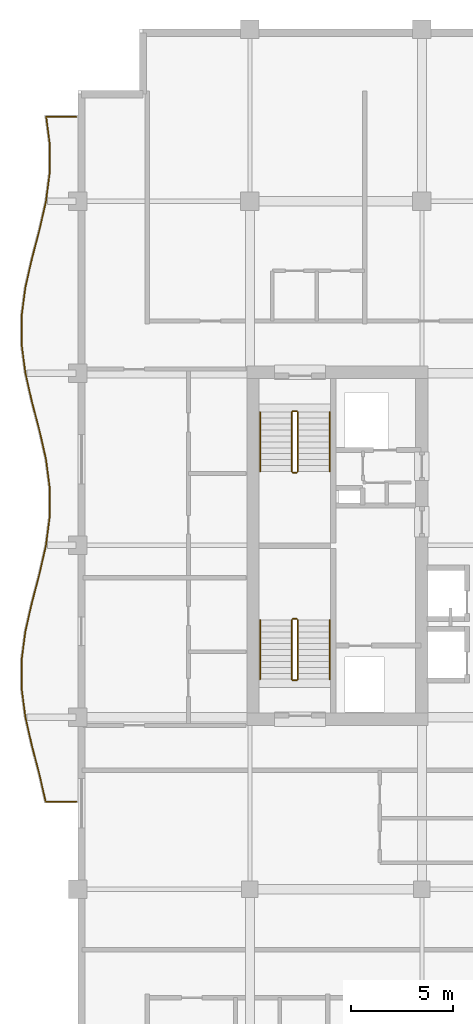
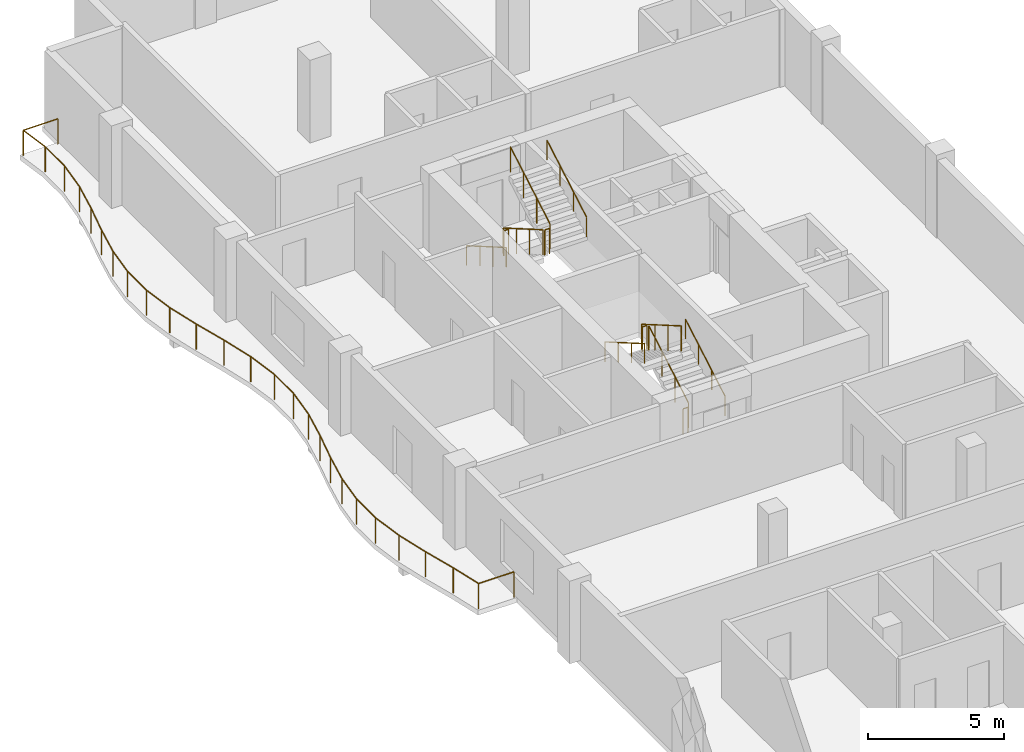
# One storey, part 12 of 12: 13 railings.
"""IFC4 building model written with IfcOpenShell, lengths in metres."""

from ifc_helpers import new_model, si_unit, direction, frame, origin, origin_2d, place, context, subcontext, project, spatial, circle, extrude, material, type_object, element, save


model = new_model("IFC4")

# Units and contexts
model_context = context("Model", 3, precision=1e-05, world=origin(), true_north=direction((0.0, 1.0)))
body_context = subcontext(model_context, "Body", "Model", "MODEL_VIEW")
ifc_project = project(units=[si_unit("LENGTHUNIT", "METRE"), si_unit("AREAUNIT", "SQUARE_METRE"), si_unit("VOLUMEUNIT", "CUBIC_METRE"), si_unit("PLANEANGLEUNIT", "RADIAN"), si_unit("MASSUNIT", "GRAM", prefix="KILO")], contexts=[model_context])

# Site, building, storey
site_placement = place(None, origin())
site = spatial("IfcSite", under=ifc_project, at=site_placement, CompositionType="ELEMENT")
building_placement = place(site_placement, origin())
building = spatial("IfcBuilding", under=site, at=building_placement, Name="Koriwani Terraces Tower", CompositionType="ELEMENT")
storey_placement = place(building_placement, frame((0.0, 0.0, 241.60009765625)))
storey = spatial("IfcBuildingStorey", under=building, at=storey_placement, Name="L59", CompositionType="ELEMENT", Elevation=241.60009765625)

# Railings
ifc_material = material(Name="Steel ASTM A572 Grade 50", Category="steel")
railing_type_1 = type_object("IfcRailingType", Name="GUARD_BALUSTRADE_1150", PredefinedType="BALUSTRADE", material=ifc_material)
railing_1_placement = place(storey_placement, frame((8.320068359375, 37.8798828125, 0.0)))
element("IfcRailing", 1, at=railing_1_placement, inside=storey, type_object=railing_type_1, Name="L59 Balcony Perimeter Safety Balustrade (W)", PredefinedType="BALUSTRADE", context=body_context, shape_type="SweptSolid", body=[
    extrude(circle(Radius=0.02392578125, at=origin_2d()), frame((0.0, 0.0, 1.1259765625), z_axis=(-1.0, 0.0, 0.0), x_axis=(0.0, -1.0, 0.0)), (0.0, 0.0, 1.0), 1.494140625),
    extrude(circle(Radius=0.02392578125, at=origin_2d()), frame((-1.494140625, 0.0, 1.1259765625), z_axis=(-0.221690258665, 0.97511713615, 0.0), x_axis=(-0.97511713615, -0.221690258665, 0.0)), (0.0, 0.0, 1.0), 1.373291015625),
    extrude(circle(Radius=0.02392578125, at=origin_2d()), frame((-1.798583984375, 1.339111328125, 1.1259765625), z_axis=(-0.254028314271, 0.967196782226, 0.0), x_axis=(-0.967196782226, -0.254028314271, 0.0)), (0.0, 0.0, 1.0), 1.447265625),
    extrude(circle(Radius=0.02392578125, at=origin_2d()), frame((-2.166259765625, 2.739013671875, 1.1259765625), z_axis=(-0.221480974814, 0.975164692652, 0.0), x_axis=(-0.975164692652, -0.221480974814, 0.0)), (0.0, 0.0, 1.0), 1.430908203125),
    extrude(circle(Radius=0.02392578125, at=origin_2d()), frame((-2.483154296875, 4.13427734375, 1.1259765625), z_axis=(-0.130157426935, 0.991493340479, 0.0), x_axis=(-0.991493340479, -0.130157426935, 0.0)), (0.0, 0.0, 1.0), 1.403076171875),
    extrude(circle(Radius=0.02392578125, at=origin_2d()), frame((-2.665771484375, 5.525390625, 1.1259765625), z_axis=(0.0, 1.0, 0.0), x_axis=(-1.0, 0.0, 0.0)), (0.0, 0.0, 1.0), 1.3896484375),
    extrude(circle(Radius=0.02392578125, at=origin_2d()), frame((-2.665771484375, 6.9150390625, 1.1259765625), z_axis=(0.130179886452, 0.991490391866, 0.0), x_axis=(-0.991490391866, 0.130179886452, 0.0)), (0.0, 0.0, 1.0), 1.40283203125),
    extrude(circle(Radius=0.02392578125, at=origin_2d()), frame((-2.483154296875, 8.305908203125, 1.1259765625), z_axis=(0.221480974814, 0.975164692652, 0.0), x_axis=(-0.975164692652, 0.221480974814, 0.0)), (0.0, 0.0, 1.0), 1.430908203125),
    extrude(circle(Radius=0.02392578125, at=origin_2d()), frame((-2.166259765625, 9.701171875, 1.1259765625), z_axis=(0.254028314271, 0.967196782226, 0.0), x_axis=(-0.967196782226, 0.254028314271, 0.0)), (0.0, 0.0, 1.0), 1.447265625),
    extrude(circle(Radius=0.02392578125, at=origin_2d()), frame((-1.798583984375, 11.10107421875, 1.1259765625), z_axis=(0.221628427149, 0.975131191317, 0.0), x_axis=(-0.975131191317, 0.221628427149, 0.0)), (0.0, 0.0, 1.0), 1.44091796875),
    extrude(circle(Radius=0.02392578125, at=origin_2d()), frame((-1.479248046875, 12.506103515625, 1.1259765625), z_axis=(0.12989004906, 0.991528403605, 0.0), x_axis=(-0.991528403605, 0.12989004906, 0.0)), (0.0, 0.0, 1.0), 1.4208984375),
    extrude(circle(Radius=0.02392578125, at=origin_2d()), frame((-1.294677734375, 13.9150390625, 1.1259765625), z_axis=(0.0, 1.0, 0.0), x_axis=(-1.0, 0.0, 0.0)), (0.0, 0.0, 1.0), 1.41015625),
    extrude(circle(Radius=0.02392578125, at=origin_2d()), frame((-1.294677734375, 15.3251953125, 1.1259765625), z_axis=(-0.12989004906, 0.991528403605, 0.0), x_axis=(-0.991528403605, -0.12989004906, 0.0)), (0.0, 0.0, 1.0), 1.4208984375),
    extrude(circle(Radius=0.02392578125, at=origin_2d()), frame((-1.479248046875, 16.734130859375, 1.1259765625), z_axis=(-0.221628427149, 0.975131191317, 0.0), x_axis=(-0.975131191317, -0.221628427149, 0.0)), (0.0, 0.0, 1.0), 1.44091796875),
    extrude(circle(Radius=0.02392578125, at=origin_2d()), frame((-1.798583984375, 18.13916015625, 1.1259765625), z_axis=(-0.254028314271, 0.967196782226, 0.0), x_axis=(-0.967196782226, -0.254028314271, 0.0)), (0.0, 0.0, 1.0), 1.447265625),
    extrude(circle(Radius=0.02392578125, at=origin_2d()), frame((-2.166259765625, 19.5390625, 1.1259765625), z_axis=(-0.221480974814, 0.975164692652, 0.0), x_axis=(-0.975164692652, -0.221480974814, 0.0)), (0.0, 0.0, 1.0), 1.430908203125),
    extrude(circle(Radius=0.02392578125, at=origin_2d()), frame((-2.483154296875, 20.934326171875, 1.1259765625), z_axis=(-0.130179886452, 0.991490391866, 0.0), x_axis=(-0.991490391866, -0.130179886452, 0.0)), (0.0, 0.0, 1.0), 1.40283203125),
    extrude(circle(Radius=0.02392578125, at=origin_2d()), frame((-2.665771484375, 22.3251953125, 1.1259765625), z_axis=(0.0, 1.0, 0.0), x_axis=(-1.0, 0.0, 0.0)), (0.0, 0.0, 1.0), 1.3896484375),
    extrude(circle(Radius=0.02392578125, at=origin_2d()), frame((-2.665771484375, 23.71484375, 1.1259765625), z_axis=(0.130157426935, 0.991493340479, 0.0), x_axis=(-0.991493340479, 0.130157426935, 0.0)), (0.0, 0.0, 1.0), 1.403076171875),
    extrude(circle(Radius=0.02392578125, at=origin_2d()), frame((-2.483154296875, 25.10595703125, 1.1259765625), z_axis=(0.221480974814, 0.975164692652, 0.0), x_axis=(-0.975164692652, 0.221480974814, 0.0)), (0.0, 0.0, 1.0), 1.430908203125),
    extrude(circle(Radius=0.02392578125, at=origin_2d()), frame((-2.166259765625, 26.501220703125, 1.1259765625), z_axis=(0.254028314271, 0.967196782226, 0.0), x_axis=(-0.967196782226, 0.254028314271, 0.0)), (0.0, 0.0, 1.0), 1.447265625),
    extrude(circle(Radius=0.02392578125, at=origin_2d()), frame((-1.798583984375, 27.901123046875, 1.1259765625), z_axis=(0.221665052023, 0.975122866469, 0.0), x_axis=(-0.975122866469, 0.221665052023, 0.0)), (0.0, 0.0, 1.0), 1.440673828125),
    extrude(circle(Radius=0.02392578125, at=origin_2d()), frame((-1.479248046875, 29.305908203125, 1.1259765625), z_axis=(0.12989004906, 0.991528403605, 0.0), x_axis=(-0.991528403605, 0.12989004906, 0.0)), (0.0, 0.0, 1.0), 1.4208984375),
    extrude(circle(Radius=0.02392578125, at=origin_2d()), frame((-1.294677734375, 30.71484375, 1.1259765625), z_axis=(0.0, 1.0, 0.0), x_axis=(-1.0, 0.0, 0.0)), (0.0, 0.0, 1.0), 1.410400390625),
    extrude(circle(Radius=0.02392578125, at=origin_2d()), frame((-1.294677734375, 32.125244140625, 1.1259765625), z_axis=(-0.129787776847, 0.991541795882, 0.0), x_axis=(-0.991541795882, -0.129787776847, 0.0)), (0.0, 0.0, 1.0), 1.326171875),
    extrude(circle(Radius=0.02392578125, at=origin_2d()), frame((-1.466796875, 33.440185546875, 1.1259765625), z_axis=(1.0, 0.0, 0.0), x_axis=(0.0, 1.0, 0.0)), (0.0, 0.0, 1.0), 1.466796875),
    extrude(circle(Radius=0.02099609375, at=origin_2d()), origin(), (0.0, 0.0, 1.0), 1.101806640625),
    extrude(circle(Radius=0.02099609375, at=origin_2d()), frame((-1.494140625, 0.0, 0.0)), (0.0, 0.0, 1.0), 1.101806640625),
    extrude(circle(Radius=0.02099609375, at=origin_2d()), frame((-1.798583984375, 1.339111328125, 0.0)), (0.0, 0.0, 1.0), 1.101806640625),
    extrude(circle(Radius=0.02099609375, at=origin_2d()), frame((-2.166259765625, 2.739013671875, 0.0)), (0.0, 0.0, 1.0), 1.101806640625),
    extrude(circle(Radius=0.02099609375, at=origin_2d()), frame((-2.483154296875, 4.13427734375, 0.0)), (0.0, 0.0, 1.0), 1.101806640625),
    extrude(circle(Radius=0.02099609375, at=origin_2d()), frame((-2.665771484375, 5.525390625, 0.0)), (0.0, 0.0, 1.0), 1.101806640625),
    extrude(circle(Radius=0.02099609375, at=origin_2d()), frame((-2.665771484375, 6.9150390625, 0.0)), (0.0, 0.0, 1.0), 1.101806640625),
    extrude(circle(Radius=0.02099609375, at=origin_2d()), frame((-2.483154296875, 8.305908203125, 0.0)), (0.0, 0.0, 1.0), 1.101806640625),
    extrude(circle(Radius=0.02099609375, at=origin_2d()), frame((-2.166259765625, 9.701171875, 0.0)), (0.0, 0.0, 1.0), 1.101806640625),
    extrude(circle(Radius=0.02099609375, at=origin_2d()), frame((-1.798583984375, 11.10107421875, 0.0)), (0.0, 0.0, 1.0), 1.101806640625),
    extrude(circle(Radius=0.02099609375, at=origin_2d()), frame((-1.479248046875, 12.506103515625, 0.0)), (0.0, 0.0, 1.0), 1.101806640625),
    extrude(circle(Radius=0.02099609375, at=origin_2d()), frame((-1.294677734375, 13.9150390625, 0.0)), (0.0, 0.0, 1.0), 1.101806640625),
    extrude(circle(Radius=0.02099609375, at=origin_2d()), frame((-1.294677734375, 15.3251953125, 0.0)), (0.0, 0.0, 1.0), 1.101806640625),
    extrude(circle(Radius=0.02099609375, at=origin_2d()), frame((-1.479248046875, 16.734130859375, 0.0)), (0.0, 0.0, 1.0), 1.101806640625),
    extrude(circle(Radius=0.02099609375, at=origin_2d()), frame((-1.798583984375, 18.13916015625, 0.0)), (0.0, 0.0, 1.0), 1.101806640625),
    extrude(circle(Radius=0.02099609375, at=origin_2d()), frame((-2.166259765625, 19.5390625, 0.0)), (0.0, 0.0, 1.0), 1.101806640625),
    extrude(circle(Radius=0.02099609375, at=origin_2d()), frame((-2.483154296875, 20.934326171875, 0.0)), (0.0, 0.0, 1.0), 1.101806640625),
    extrude(circle(Radius=0.02099609375, at=origin_2d()), frame((-2.665771484375, 22.3251953125, 0.0)), (0.0, 0.0, 1.0), 1.101806640625),
    extrude(circle(Radius=0.02099609375, at=origin_2d()), frame((-2.665771484375, 23.71484375, 0.0)), (0.0, 0.0, 1.0), 1.101806640625),
    extrude(circle(Radius=0.02099609375, at=origin_2d()), frame((-2.483154296875, 25.10595703125, 0.0)), (0.0, 0.0, 1.0), 1.101806640625),
    extrude(circle(Radius=0.02099609375, at=origin_2d()), frame((-2.166259765625, 26.501220703125, 0.0)), (0.0, 0.0, 1.0), 1.101806640625),
    extrude(circle(Radius=0.02099609375, at=origin_2d()), frame((-1.798583984375, 27.901123046875, 0.0)), (0.0, 0.0, 1.0), 1.101806640625),
    extrude(circle(Radius=0.02099609375, at=origin_2d()), frame((-1.479248046875, 29.305908203125, 0.0)), (0.0, 0.0, 1.0), 1.101806640625),
    extrude(circle(Radius=0.02099609375, at=origin_2d()), frame((-1.294677734375, 30.71484375, 0.0)), (0.0, 0.0, 1.0), 1.101806640625),
    extrude(circle(Radius=0.02099609375, at=origin_2d()), frame((-1.294677734375, 32.125244140625, 0.0)), (0.0, 0.0, 1.0), 1.101806640625),
    extrude(circle(Radius=0.02099609375, at=origin_2d()), frame((-1.466796875, 33.440185546875, 0.0)), (0.0, 0.0, 1.0), 1.101806640625),
    extrude(circle(Radius=0.02099609375, at=origin_2d()), frame((0.0, 33.440185546875, 0.0)), (0.0, 0.0, 1.0), 1.101806640625),
])
railing_type_2 = type_object("IfcRailingType", Name="GUARD_STAIR_WELL_1120", PredefinedType="GUARDRAIL", material=ifc_material)
railing_2_placement = place(storey_placement, frame((19.14990234375, 43.85009765625, 0.16796875)))
element("IfcRailing", 2, at=railing_2_placement, inside=storey, type_object=railing_type_2, Name="L59 ST-W1 stair guard 1", PredefinedType="GUARDRAIL", context=body_context, shape_type="SweptSolid", body=[
    extrude(circle(Radius=0.02392578125, at=origin_2d()), frame((0.0, 0.0, 1.1259765625), z_axis=(0.0, 0.865038774852, 0.501705010941), x_axis=(-1.0, 0.0, 0.0)), (0.0, 0.0, 1.0), 3.352294921875),
    extrude(circle(Radius=0.02099609375, at=origin_2d()), origin(), (0.0, 0.0, 1.0), 1.101806640625),
    extrude(circle(Radius=0.02099609375, at=origin_2d()), frame((0.0, 0.966552734375, 0.560546875)), (0.0, 0.0, 1.0), 1.101806640625),
    extrude(circle(Radius=0.02099609375, at=origin_2d()), frame((0.0, 1.933349609375, 1.121337890625)), (0.0, 0.0, 1.0), 1.101806640625),
    extrude(circle(Radius=0.02099609375, at=origin_2d()), frame((0.0, 2.89990234375, 1.681884765625)), (0.0, 0.0, 1.0), 1.101806640625),
])
railing_3_placement = place(storey_placement, frame((19.10009765625, 46.800048828125, 1.849853515625)))
element("IfcRailing", 3, at=railing_3_placement, inside=storey, type_object=railing_type_2, Name="L59 ST-W1 stair guard 2", PredefinedType="GUARDRAIL", context=body_context, shape_type="SweptSolid", body=[
    extrude(circle(Radius=0.02392578125, at=origin_2d()), frame((0.0, 0.0, 1.1259765625), z_axis=(-1.0, 0.0, 0.0), x_axis=(0.0, -1.0, 0.0)), (0.0, 0.0, 1.0), 0.2001953125),
    extrude(circle(Radius=0.02099609375, at=origin_2d()), origin(), (0.0, 0.0, 1.0), 1.101806640625),
    extrude(circle(Radius=0.02099609375, at=origin_2d()), frame((-0.2001953125, 0.0, 0.0)), (0.0, 0.0, 1.0), 1.101806640625),
])
railing_4_placement = place(storey_placement, frame((18.85009765625, 46.75, 2.01806640625)))
element("IfcRailing", 4, at=railing_4_placement, inside=storey, type_object=railing_type_2, Name="L59 ST-W1 stair guard 3", PredefinedType="GUARDRAIL", context=body_context, shape_type="SweptSolid", body=[
    extrude(circle(Radius=0.02392578125, at=origin_2d()), frame((0.0, 0.0, 1.1259765625), z_axis=(0.0, -0.865038774852, 0.501705010941), x_axis=(1.0, 0.0, 0.0)), (0.0, 0.0, 1.0), 3.352294921875),
    extrude(circle(Radius=0.02099609375, at=origin_2d()), origin(), (0.0, 0.0, 1.0), 1.101806640625),
    extrude(circle(Radius=0.02099609375, at=origin_2d()), frame((0.0, -0.966552734375, 0.560546875)), (0.0, 0.0, 1.0), 1.101806640625),
    extrude(circle(Radius=0.02099609375, at=origin_2d()), frame((0.0, -1.933349609375, 1.121337890625)), (0.0, 0.0, 1.0), 1.101806640625),
    extrude(circle(Radius=0.02099609375, at=origin_2d()), frame((0.0, -2.89990234375, 1.681884765625)), (0.0, 0.0, 1.0), 1.101806640625),
])
railing_5_placement = place(storey_placement, frame((19.10009765625, 43.800048828125, 0.0)))
element("IfcRailing", 5, at=railing_5_placement, inside=storey, type_object=railing_type_2, Name="L59 ST-W1 stair guard 4", PredefinedType="GUARDRAIL", context=body_context, shape_type="SweptSolid", body=[
    extrude(circle(Radius=0.02392578125, at=origin_2d()), frame((0.0, 0.0, 1.1259765625), z_axis=(-1.0, 0.0, 0.0), x_axis=(0.0, -1.0, 0.0)), (0.0, 0.0, 1.0), 0.2001953125),
    extrude(circle(Radius=0.02099609375, at=origin_2d()), origin(), (0.0, 0.0, 1.0), 1.101806640625),
    extrude(circle(Radius=0.02099609375, at=origin_2d()), frame((-0.2001953125, 0.0, 0.0)), (0.0, 0.0, 1.0), 1.101806640625),
])
railing_6_placement = place(storey_placement, frame((18.85009765625, 56.89990234375, 0.16796875)))
element("IfcRailing", 6, at=railing_6_placement, inside=storey, type_object=railing_type_2, Name="L59 ST-W2 stair guard 1", PredefinedType="GUARDRAIL", context=body_context, shape_type="SweptSolid", body=[
    extrude(circle(Radius=0.02392578125, at=origin_2d()), frame((0.0, 0.0, 1.1259765625), z_axis=(0.0, -0.865038774852, 0.501705010941), x_axis=(1.0, 0.0, 0.0)), (0.0, 0.0, 1.0), 3.352294921875),
    extrude(circle(Radius=0.02099609375, at=origin_2d()), origin(), (0.0, 0.0, 1.0), 1.101806640625),
    extrude(circle(Radius=0.02099609375, at=origin_2d()), frame((0.0, -0.966552734375, 0.560546875)), (0.0, 0.0, 1.0), 1.101806640625),
    extrude(circle(Radius=0.02099609375, at=origin_2d()), frame((0.0, -1.933349609375, 1.121337890625)), (0.0, 0.0, 1.0), 1.101806640625),
    extrude(circle(Radius=0.02099609375, at=origin_2d()), frame((0.0, -2.89990234375, 1.681884765625)), (0.0, 0.0, 1.0), 1.101806640625),
])
railing_7_placement = place(storey_placement, frame((18.89990234375, 53.949951171875, 1.849853515625)))
element("IfcRailing", 7, at=railing_7_placement, inside=storey, type_object=railing_type_2, Name="L59 ST-W2 stair guard 2", PredefinedType="GUARDRAIL", context=body_context, shape_type="SweptSolid", body=[
    extrude(circle(Radius=0.02392578125, at=origin_2d()), frame((0.0, 0.0, 1.1259765625), z_axis=(1.0, 0.0, 0.0), x_axis=(0.0, 1.0, 0.0)), (0.0, 0.0, 1.0), 0.2001953125),
    extrude(circle(Radius=0.02099609375, at=origin_2d()), origin(), (0.0, 0.0, 1.0), 1.101806640625),
    extrude(circle(Radius=0.02099609375, at=origin_2d()), frame((0.2001953125, 0.0, 0.0)), (0.0, 0.0, 1.0), 1.101806640625),
])
railing_8_placement = place(storey_placement, frame((19.14990234375, 54.0, 2.01806640625)))
element("IfcRailing", 8, at=railing_8_placement, inside=storey, type_object=railing_type_2, Name="L59 ST-W2 stair guard 3", PredefinedType="GUARDRAIL", context=body_context, shape_type="SweptSolid", body=[
    extrude(circle(Radius=0.02392578125, at=origin_2d()), frame((0.0, 0.0, 1.1259765625), z_axis=(0.0, 0.865038774852, 0.501705010941), x_axis=(-1.0, 0.0, 0.0)), (0.0, 0.0, 1.0), 3.352294921875),
    extrude(circle(Radius=0.02099609375, at=origin_2d()), origin(), (0.0, 0.0, 1.0), 1.101806640625),
    extrude(circle(Radius=0.02099609375, at=origin_2d()), frame((0.0, 0.966552734375, 0.560546875)), (0.0, 0.0, 1.0), 1.101806640625),
    extrude(circle(Radius=0.02099609375, at=origin_2d()), frame((0.0, 1.933349609375, 1.121337890625)), (0.0, 0.0, 1.0), 1.101806640625),
    extrude(circle(Radius=0.02099609375, at=origin_2d()), frame((0.0, 2.89990234375, 1.681884765625)), (0.0, 0.0, 1.0), 1.101806640625),
])
railing_9_placement = place(storey_placement, frame((18.89990234375, 56.949951171875, 0.0)))
element("IfcRailing", 9, at=railing_9_placement, inside=storey, type_object=railing_type_2, Name="L59 ST-W2 stair guard 4", PredefinedType="GUARDRAIL", context=body_context, shape_type="SweptSolid", body=[
    extrude(circle(Radius=0.02392578125, at=origin_2d()), frame((0.0, 0.0, 1.1259765625), z_axis=(1.0, 0.0, 0.0), x_axis=(0.0, 1.0, 0.0)), (0.0, 0.0, 1.0), 0.2001953125),
    extrude(circle(Radius=0.02099609375, at=origin_2d()), origin(), (0.0, 0.0, 1.0), 1.101806640625),
    extrude(circle(Radius=0.02099609375, at=origin_2d()), frame((0.2001953125, 0.0, 0.0)), (0.0, 0.0, 1.0), 1.101806640625),
])
railing_type_3 = type_object("IfcRailingType", Name="HANDRAIL_STAIR_920", PredefinedType="HANDRAIL", material=ifc_material)
railing_10_placement = place(storey_placement, frame((20.699951171875, 43.85009765625, 0.16796875)))
element("IfcRailing", 10, at=railing_10_placement, inside=storey, type_object=railing_type_3, Name="L59 ST-W1 stair handrail 1", PredefinedType="HANDRAIL", context=body_context, shape_type="SweptSolid", body=[
    extrude(circle(Radius=0.02392578125, at=origin_2d()), frame((0.0, 0.0, 0.8759765625), z_axis=(0.0, 0.865038774852, 0.501705010941), x_axis=(-1.0, 0.0, 0.0)), (0.0, 0.0, 1.0), 3.352294921875),
    extrude(circle(Radius=0.02099609375, at=origin_2d()), origin(), (0.0, 0.0, 1.0), 0.851806640625),
    extrude(circle(Radius=0.02099609375, at=origin_2d()), frame((0.0, 0.966552734375, 0.560546875)), (0.0, 0.0, 1.0), 0.851806640625),
    extrude(circle(Radius=0.02099609375, at=origin_2d()), frame((0.0, 1.933349609375, 1.121337890625)), (0.0, 0.0, 1.0), 0.851806640625),
    extrude(circle(Radius=0.02099609375, at=origin_2d()), frame((0.0, 2.89990234375, 1.681884765625)), (0.0, 0.0, 1.0), 0.851806640625),
])
for number, where, name in (
    (11, (17.300048828125, 46.75, 2.01806640625), "L59 ST-W1 stair handrail 2"),
    (12, (17.300048828125, 56.89990234375, 0.16796875), "L59 ST-W2 stair handrail 1"),
):
    element("IfcRailing", number, at=place(storey_placement, frame(where)), inside=storey, type_object=railing_type_3, Name=name, PredefinedType="HANDRAIL", context=body_context, shape_type="SweptSolid", body=[
        extrude(circle(Radius=0.02392578125, at=origin_2d()), frame((0.0, 0.0, 0.8759765625), z_axis=(0.0, -0.865038774852, 0.501705010941), x_axis=(1.0, 0.0, 0.0)), (0.0, 0.0, 1.0), 3.352294921875),
        extrude(circle(Radius=0.02099609375, at=origin_2d()), origin(), (0.0, 0.0, 1.0), 0.851806640625),
        extrude(circle(Radius=0.02099609375, at=origin_2d()), frame((0.0, -0.966552734375, 0.560546875)), (0.0, 0.0, 1.0), 0.851806640625),
        extrude(circle(Radius=0.02099609375, at=origin_2d()), frame((0.0, -1.933349609375, 1.121337890625)), (0.0, 0.0, 1.0), 0.851806640625),
        extrude(circle(Radius=0.02099609375, at=origin_2d()), frame((0.0, -2.89990234375, 1.681884765625)), (0.0, 0.0, 1.0), 0.851806640625),
    ])
railing_11_placement = place(storey_placement, frame((20.699951171875, 54.0, 2.01806640625)))
element("IfcRailing", 13, at=railing_11_placement, inside=storey, type_object=railing_type_3, Name="L59 ST-W2 stair handrail 2", PredefinedType="HANDRAIL", context=body_context, shape_type="SweptSolid", body=[
    extrude(circle(Radius=0.02392578125, at=origin_2d()), frame((0.0, 0.0, 0.8759765625), z_axis=(0.0, 0.865038774852, 0.501705010941), x_axis=(-1.0, 0.0, 0.0)), (0.0, 0.0, 1.0), 3.352294921875),
    extrude(circle(Radius=0.02099609375, at=origin_2d()), origin(), (0.0, 0.0, 1.0), 0.851806640625),
    extrude(circle(Radius=0.02099609375, at=origin_2d()), frame((0.0, 0.966552734375, 0.560546875)), (0.0, 0.0, 1.0), 0.851806640625),
    extrude(circle(Radius=0.02099609375, at=origin_2d()), frame((0.0, 1.933349609375, 1.121337890625)), (0.0, 0.0, 1.0), 0.851806640625),
    extrude(circle(Radius=0.02099609375, at=origin_2d()), frame((0.0, 2.89990234375, 1.681884765625)), (0.0, 0.0, 1.0), 0.851806640625),
])

save(model, "model.ifc")
